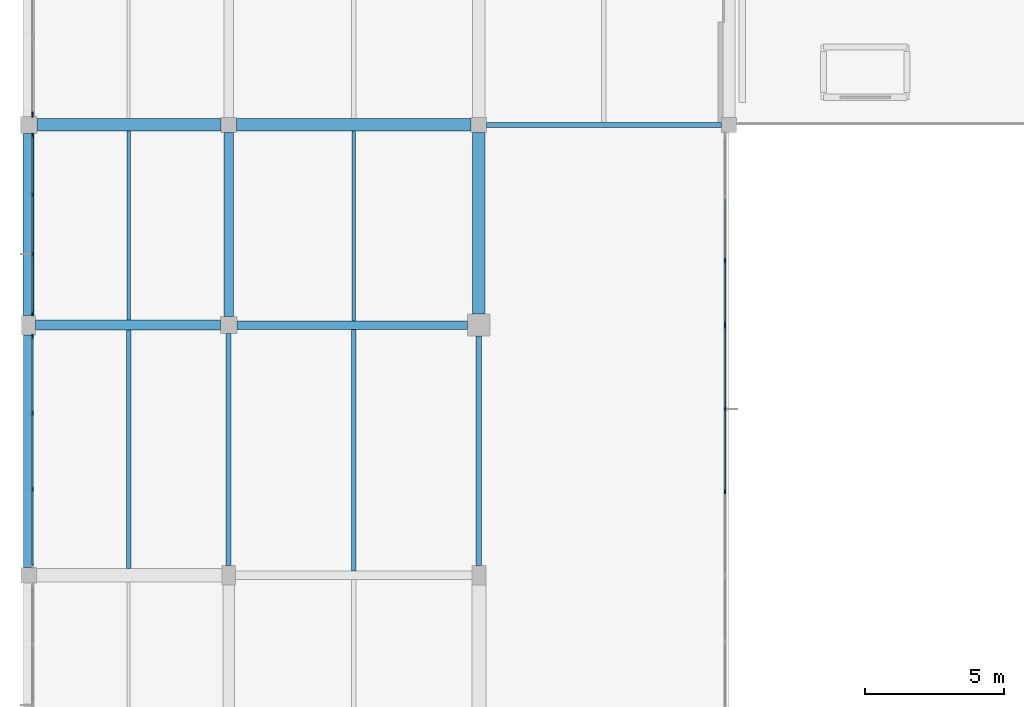
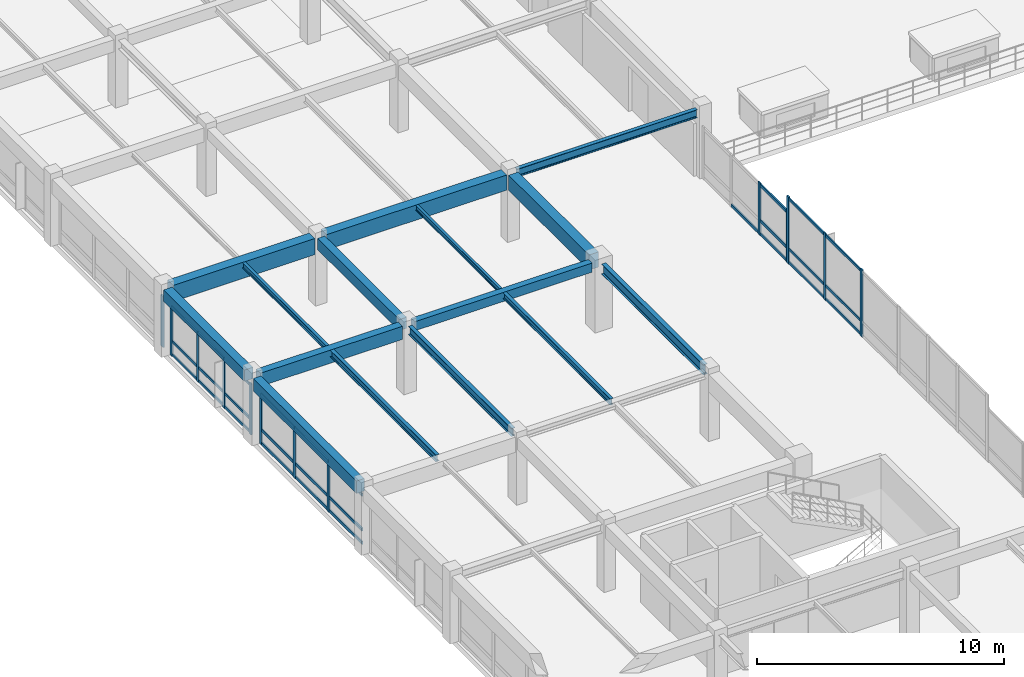
# One storey, part 10 of 74: 41 members, 15 beams, 5 elements without a shape of their own.
"""IFC4 building model written with IfcOpenShell, lengths in metres."""

from ifc_helpers import new_model, si_unit, direction, frame, origin, origin_2d, place, context, subcontext, project, spatial, rectangle, i_section, extrude, material, material_profile, profile_set, type_object, element, aggregate, save


model = new_model("IFC4")

# Units and contexts
model_context = context("Model", 3, precision=1e-05, world=origin(), true_north=direction((0.0, 1.0)))
body_context = subcontext(model_context, "Body", "Model", "MODEL_VIEW")
ifc_project = project(units=[si_unit("LENGTHUNIT", "METRE"), si_unit("AREAUNIT", "SQUARE_METRE"), si_unit("VOLUMEUNIT", "CUBIC_METRE"), si_unit("PLANEANGLEUNIT", "RADIAN"), si_unit("MASSUNIT", "GRAM", prefix="KILO")], contexts=[model_context])

# Site, building, storey
site_placement = place(None, origin())
site = spatial("IfcSite", under=ifc_project, at=site_placement, CompositionType="ELEMENT")
building_placement = place(site_placement, origin())
building = spatial("IfcBuilding", under=site, at=building_placement, Name="Clarverna Civic Hall", CompositionType="ELEMENT")
storey_placement = place(building_placement, frame((0.0, 0.0, 9.60009765625)))
storey = spatial("IfcBuildingStorey", under=building, at=storey_placement, Name="L02", CompositionType="ELEMENT", Elevation=9.60009765625)

# Beams
ifc_material_1 = material(Name="Concrete C35/45", Category="concrete")
ifc_material_profile_1 = material_profile(ifc_material_1, rectangle(XDim=0.35009765625, YDim=0.64990234375, at=origin_2d()), Name="RC 350x650")
ifc_profile_set_1 = profile_set([ifc_material_profile_1], Name="Concrete C35/45")
beam_type_1 = type_object("IfcBeamType", Name="B-RC17", PredefinedType="BEAM", material=ifc_profile_set_1)
beam_1_placement = place(storey_placement, frame((0.25, 39.199951171875, 2.994873046875), z_axis=(1.0, 0.0, 0.0), x_axis=(0.0, 1.0, 0.0)))
element("IfcBeam", 1, at=beam_1_placement, inside=storey, type_object=beam_type_1, Name="B-RC17-027", PredefinedType="BEAM", context=body_context, shape_type="SweptSolid", body=[
    extrude(rectangle(XDim=0.35009765625, YDim=0.64990234375, at=origin_2d()), origin(), (0.0, 0.0, 1.0), 6.64990234375),
])
ifc_material_profile_2 = material_profile(ifc_material_1, rectangle(XDim=0.300048828125, YDim=0.449951171875, at=origin_2d()), Name="RC 300x450")
ifc_profile_set_2 = profile_set([ifc_material_profile_2], Name="Concrete C35/45")
beam_type_2 = type_object("IfcBeamType", Name="B-RC18", PredefinedType="BEAM", material=ifc_profile_set_2)
beam_2_placement = place(storey_placement, frame((7.5, 39.199951171875, 3.094970703125), z_axis=(1.0, 0.0, 0.0), x_axis=(0.0, 1.0, 0.0)))
element("IfcBeam", 2, at=beam_2_placement, inside=storey, type_object=beam_type_2, Name="B-RC18-033", PredefinedType="BEAM", context=body_context, shape_type="SweptSolid", body=[
    extrude(rectangle(XDim=0.300048828125, YDim=0.449951171875, at=origin_2d()), origin(), (0.0, 0.0, 1.0), 8.300048828125),
])
ifc_material_profile_3 = material_profile(ifc_material_1, rectangle(XDim=0.449951171875, YDim=0.800048828125, at=origin_2d()), Name="RC 450x800")
ifc_profile_set_3 = profile_set([ifc_material_profile_3], Name="Concrete C35/45")
beam_type_3 = type_object("IfcBeamType", Name="B-RC2", PredefinedType="BEAM", material=ifc_profile_set_3)
beam_3_placement = place(storey_placement, frame((0.300048828125, 46.39990234375, 2.919921875), z_axis=(1.0, 0.0, 0.0), x_axis=(0.0, 1.0, 0.0)))
element("IfcBeam", 3, at=beam_3_placement, inside=storey, type_object=beam_type_3, Name="B-RC2-024", PredefinedType="BEAM", context=body_context, shape_type="SweptSolid", body=[
    extrude(rectangle(XDim=0.449951171875, YDim=0.800048828125, at=origin_2d()), origin(), (0.0, 0.0, 1.0), 6.625),
])
ifc_material_profile_4 = material_profile(ifc_material_1, rectangle(XDim=0.449951171875, YDim=0.75, at=origin_2d()), Name="RC 450x750")
ifc_profile_set_4 = profile_set([ifc_material_profile_4], Name="Concrete C35/45")
beam_type_4 = type_object("IfcBeamType", Name="B-RC3", PredefinedType="BEAM", material=ifc_profile_set_4)
beam_4_placement = place(storey_placement, frame((7.47509765625, 46.39990234375, 2.94482421875), z_axis=(1.0, 0.0, 0.0), x_axis=(0.0, 1.0, 0.0)))
element("IfcBeam", 4, at=beam_4_placement, inside=storey, type_object=beam_type_4, Name="B-RC3-028", PredefinedType="BEAM", context=body_context, shape_type="SweptSolid", body=[
    extrude(rectangle(XDim=0.449951171875, YDim=0.75, at=origin_2d()), origin(), (0.0, 0.0, 1.0), 8.449951171875),
])
beam_5_placement = place(storey_placement, frame((16.199951171875, 39.60009765625, 2.94482421875), z_axis=(0.0, 1.0, 0.0), x_axis=(-1.0, 0.0, 0.0)))
element("IfcBeam", 5, at=beam_5_placement, inside=storey, type_object=beam_type_4, Name="B-RC3-032", PredefinedType="BEAM", context=body_context, shape_type="SweptSolid", body=[
    extrude(rectangle(XDim=0.449951171875, YDim=0.75, at=origin_2d()), origin(), (0.0, 0.0, 1.0), 6.52490234375),
])
ifc_material_profile_5 = material_profile(ifc_material_1, rectangle(XDim=0.35009765625, YDim=0.550048828125, at=origin_2d()), Name="RC 350x550")
ifc_profile_set_5 = profile_set([ifc_material_profile_5], Name="Concrete C35/45")
beam_type_5 = type_object("IfcBeamType", Name="B-RC9", PredefinedType="BEAM", material=ifc_profile_set_5)
beam_6_placement = place(storey_placement, frame((7.199951171875, 39.5, 3.044921875), z_axis=(0.0, 1.0, 0.0), x_axis=(-1.0, 0.0, 0.0)))
element("IfcBeam", 6, at=beam_6_placement, inside=storey, type_object=beam_type_5, Name="B-RC9-037", PredefinedType="BEAM", context=body_context, shape_type="SweptSolid", body=[
    extrude(rectangle(XDim=0.35009765625, YDim=0.550048828125, at=origin_2d()), origin(), (0.0, 0.0, 1.0), 6.625),
])
ifc_material_profile_6 = material_profile(ifc_material_1, rectangle(XDim=0.360107421875, YDim=0.6201171875, at=origin_2d()), Name="RC 360x620")
ifc_profile_set_6 = profile_set([ifc_material_profile_6], Name="Concrete C35/45")
beam_type_6 = type_object("IfcBeamType", Name="B-SP3", PredefinedType="SPANDREL", material=ifc_profile_set_6)
beam_7_placement = place(storey_placement, frame((0.0, 30.47509765625, 3.010009765625), z_axis=(0.0, 1.0, 0.0), x_axis=(-1.0, 0.0, 0.0)))
element("IfcBeam", 7, at=beam_7_placement, inside=storey, type_object=beam_type_6, Name="B-SP3-096", PredefinedType="SPANDREL", context=body_context, shape_type="SweptSolid", body=[
    extrude(rectangle(XDim=0.360107421875, YDim=0.6201171875, at=origin_2d()), origin(), (0.0, 0.0, 1.0), 8.375),
])
ifc_material_profile_7 = material_profile(ifc_material_1, rectangle(XDim=0.39990234375, YDim=0.56005859375, at=origin_2d()), Name="RC 400x560")
ifc_profile_set_7 = profile_set([ifc_material_profile_7], Name="Concrete C35/45")
beam_type_7 = type_object("IfcBeamType", Name="B-SP4", PredefinedType="SPANDREL", material=ifc_profile_set_7)
beam_8_placement = place(storey_placement, frame((0.0, 39.550048828125, 3.039794921875), z_axis=(0.0, 1.0, 0.0), x_axis=(-1.0, 0.0, 0.0)))
element("IfcBeam", 8, at=beam_8_placement, inside=storey, type_object=beam_type_7, Name="B-SP4-095", PredefinedType="SPANDREL", context=body_context, shape_type="SweptSolid", body=[
    extrude(rectangle(XDim=0.39990234375, YDim=0.56005859375, at=origin_2d()), origin(), (0.0, 0.0, 1.0), 6.550048828125),
])
ifc_material_2 = material(Name="Steel S355", Category="steel")
ifc_material_profile_8 = material_profile(ifc_material_2, i_section(OverallWidth=0.199951171875, OverallDepth=0.5, WebThickness=0.01025390625, FlangeThickness=0.01611328125, FilletRadius=0.02099609375, at=origin_2d()), Name="IPE 500")
ifc_profile_set_8 = profile_set([ifc_material_profile_8], Name="Steel S355")
beam_type_8 = type_object("IfcBeamType", Name="B-ST12", PredefinedType="BEAM", material=ifc_profile_set_8)
beam_9_placement = place(storey_placement, frame((16.199951171875, 30.550048828125, 3.06982421875), z_axis=(0.0, 1.0, 0.0), x_axis=(-1.0, 0.0, 0.0)))
element("IfcBeam", 9, at=beam_9_placement, inside=storey, type_object=beam_type_8, Name="B-ST12-011", PredefinedType="BEAM", context=body_context, shape_type="SweptSolid", body=[
    extrude(i_section(OverallWidth=0.199951171875, OverallDepth=0.5, WebThickness=0.01025390625, FlangeThickness=0.01611328125, FilletRadius=0.02099609375, at=origin_2d()), origin(), (0.0, 0.0, 1.0), 8.25),
])
ifc_material_profile_9 = material_profile(ifc_material_2, i_section(OverallWidth=0.179931640625, OverallDepth=0.39990234375, WebThickness=0.008544921875, FlangeThickness=0.013427734375, FilletRadius=0.02099609375, at=origin_2d()), Name="IPE 400")
ifc_profile_set_9 = profile_set([ifc_material_profile_9], Name="Steel S355")
beam_type_9 = type_object("IfcBeamType", Name="B-ST14", PredefinedType="BEAM", material=ifc_profile_set_9)
beam_10_placement = place(storey_placement, frame((16.47509765625, 46.39990234375, 3.119873046875), z_axis=(1.0, 0.0, 0.0), x_axis=(0.0, 1.0, 0.0)))
element("IfcBeam", 10, at=beam_10_placement, inside=storey, type_object=beam_type_9, Name="B-ST14-009", PredefinedType="BEAM", context=body_context, shape_type="SweptSolid", body=[
    extrude(i_section(OverallWidth=0.179931640625, OverallDepth=0.39990234375, WebThickness=0.008544921875, FlangeThickness=0.013427734375, FilletRadius=0.02099609375, at=origin_2d()), origin(), (0.0, 0.0, 1.0), 8.449951171875),
])
beam_11_placement = place(storey_placement, frame((7.199951171875, 30.550048828125, 3.119873046875), z_axis=(0.0, 1.0, 0.0), x_axis=(-1.0, 0.0, 0.0)))
element("IfcBeam", 11, at=beam_11_placement, inside=storey, type_object=beam_type_9, Name="B-ST14-011", PredefinedType="BEAM", context=body_context, shape_type="SweptSolid", body=[
    extrude(i_section(OverallWidth=0.179931640625, OverallDepth=0.39990234375, WebThickness=0.008544921875, FlangeThickness=0.013427734375, FilletRadius=0.02099609375, at=origin_2d()), origin(), (0.0, 0.0, 1.0), 8.349853515625),
])

# Curtain wall, members
ifc_material_3 = material(Name="Anodised Bronze Architectural Aluminium", Category="aluminium")
curtain_wall_type = type_object("IfcCurtainWallType", Name="CW-01", PredefinedType="USERDEFINED", material=ifc_material_3)
curtain_wall_1_placement = place(storey_placement, origin())
curtain_wall_1 = element("IfcCurtainWall", 12, at=curtain_wall_1_placement, inside=storey, type_object=curtain_wall_type, Name="CW-01-019", ObjectType="UNITISED CURTAIN WALL", PredefinedType="USERDEFINED")
ifc_material_profile_10 = material_profile(ifc_material_3, rectangle(XDim=0.06005859375, YDim=0.179931640625, at=origin_2d()), Name="BRONZE 60x180")
ifc_profile_set_10 = profile_set([ifc_material_profile_10], Name="Anodised Bronze Architectural Aluminium")
member_type_1 = type_object("IfcMemberType", Name="CWM-01", PredefinedType="MULLION", material=ifc_profile_set_10)
member_1_placement = place(storey_placement, frame((0.139892578125, 33.291015625, 0.0), z_axis=(0.0, 0.0, 1.0), x_axis=(1.0, 0.0, 0.0)))
member_1 = element("IfcMember", 13, at=member_1_placement, type_object=member_type_1, Name="CWM-01-071", PredefinedType="MULLION", context=body_context, shape_type="SweptSolid", body=[
    extrude(rectangle(XDim=0.06005859375, YDim=0.179931640625, at=origin_2d()), origin(), (0.0, 0.0, 1.0), 2.56982421875),
])
member_2_placement = place(storey_placement, frame((0.139892578125, 36.033935546875, 0.0), z_axis=(0.0, 0.0, 1.0), x_axis=(1.0, 0.0, 0.0)))
member_2 = element("IfcMember", 14, at=member_2_placement, type_object=member_type_1, Name="CWM-01-072", PredefinedType="MULLION", context=body_context, shape_type="SweptSolid", body=[
    extrude(rectangle(XDim=0.06005859375, YDim=0.179931640625, at=origin_2d()), origin(), (0.0, 0.0, 1.0), 2.56982421875),
])
member_3_placement = place(storey_placement, frame((0.139892578125, 38.777099609375, 0.0), z_axis=(0.0, 0.0, 1.0), x_axis=(1.0, 0.0, 0.0)))
member_3 = element("IfcMember", 15, at=member_3_placement, type_object=member_type_1, Name="CWM-01-073", PredefinedType="MULLION", context=body_context, shape_type="SweptSolid", body=[
    extrude(rectangle(XDim=0.06005859375, YDim=0.179931640625, at=origin_2d()), origin(), (0.0, 0.0, 1.0), 2.56982421875),
])

curtain_wall_2_placement = place(storey_placement, origin())
curtain_wall_2 = element("IfcCurtainWall", 16, at=curtain_wall_2_placement, inside=storey, type_object=curtain_wall_type, Name="CW-01-054", ObjectType="UNITISED CURTAIN WALL", PredefinedType="USERDEFINED")
member_4_placement = place(storey_placement, frame((25.06005859375, 41.506103515625, 0.0), z_axis=(0.0, 0.0, 1.0), x_axis=(1.0, 0.0, 0.0)))
member_4 = element("IfcMember", 17, at=member_4_placement, type_object=member_type_1, Name="CWM-01-107", PredefinedType="MULLION", context=body_context, shape_type="SweptSolid", body=[
    extrude(rectangle(XDim=0.06005859375, YDim=0.179931640625, at=origin_2d()), origin(), (0.0, 0.0, 1.0), 2.599853515625),
])
member_5_placement = place(storey_placement, frame((25.06005859375, 39.23291015625, 0.0), z_axis=(0.0, 0.0, 1.0), x_axis=(1.0, 0.0, 0.0)))
member_5 = element("IfcMember", 18, at=member_5_placement, type_object=member_type_1, Name="CWM-01-108", PredefinedType="MULLION", context=body_context, shape_type="SweptSolid", body=[
    extrude(rectangle(XDim=0.06005859375, YDim=0.179931640625, at=origin_2d()), origin(), (0.0, 0.0, 1.0), 2.599853515625),
])

curtain_wall_3_placement = place(storey_placement, origin())
curtain_wall_3 = element("IfcCurtainWall", 19, at=curtain_wall_3_placement, inside=storey, type_object=curtain_wall_type, Name="CW-01-020", ObjectType="UNITISED CURTAIN WALL", PredefinedType="USERDEFINED")
ifc_material_profile_11 = material_profile(ifc_material_3, rectangle(XDim=0.06005859375, YDim=0.159912109375, at=origin_2d()), Name="BRONZE 60x160")
ifc_profile_set_11 = profile_set([ifc_material_profile_11], Name="Anodised Bronze Architectural Aluminium")
member_type_2 = type_object("IfcMemberType", Name="CWM-02", PredefinedType="MULLION", material=ifc_profile_set_11)
member_6_placement = place(storey_placement, frame((0.139892578125, 39.623046875, 0.0), z_axis=(0.0, 0.0, 1.0), x_axis=(1.0, 0.0, 0.0)))
member_6 = element("IfcMember", 20, at=member_6_placement, type_object=member_type_2, Name="CWM-02-083", PredefinedType="MULLION", context=body_context, shape_type="SweptSolid", body=[
    extrude(rectangle(XDim=0.06005859375, YDim=0.159912109375, at=origin_2d()), origin(), (0.0, 0.0, 1.0), 2.52001953125),
])
member_7_placement = place(storey_placement, frame((0.139892578125, 41.7578125, 0.0), z_axis=(0.0, 0.0, 1.0), x_axis=(1.0, 0.0, 0.0)))
member_7 = element("IfcMember", 21, at=member_7_placement, type_object=member_type_2, Name="CWM-02-084", PredefinedType="MULLION", context=body_context, shape_type="SweptSolid", body=[
    extrude(rectangle(XDim=0.06005859375, YDim=0.159912109375, at=origin_2d()), origin(), (0.0, 0.0, 1.0), 2.52001953125),
])
member_8_placement = place(storey_placement, frame((0.139892578125, 43.892333984375, 0.0), z_axis=(0.0, 0.0, 1.0), x_axis=(1.0, 0.0, 0.0)))
member_8 = element("IfcMember", 22, at=member_8_placement, type_object=member_type_2, Name="CWM-02-085", PredefinedType="MULLION", context=body_context, shape_type="SweptSolid", body=[
    extrude(rectangle(XDim=0.06005859375, YDim=0.159912109375, at=origin_2d()), origin(), (0.0, 0.0, 1.0), 2.52001953125),
])
member_9_placement = place(storey_placement, frame((0.139892578125, 46.027099609375, 0.0), z_axis=(0.0, 0.0, 1.0), x_axis=(1.0, 0.0, 0.0)))
member_9 = element("IfcMember", 23, at=member_9_placement, type_object=member_type_2, Name="CWM-02-086", PredefinedType="MULLION", context=body_context, shape_type="SweptSolid", body=[
    extrude(rectangle(XDim=0.06005859375, YDim=0.159912109375, at=origin_2d()), origin(), (0.0, 0.0, 1.0), 2.52001953125),
])

curtain_wall_4_placement = place(storey_placement, origin())
curtain_wall_4 = element("IfcCurtainWall", 24, at=curtain_wall_4_placement, inside=storey, type_object=curtain_wall_type, Name="CW-01-055", ObjectType="UNITISED CURTAIN WALL", PredefinedType="USERDEFINED")
member_10_placement = place(storey_placement, frame((25.06005859375, 39.1669921875, 0.0), z_axis=(0.0, 0.0, 1.0), x_axis=(1.0, 0.0, 0.0)))
member_10 = element("IfcMember", 25, at=member_10_placement, type_object=member_type_2, Name="CWM-02-133", PredefinedType="MULLION", context=body_context, shape_type="SweptSolid", body=[
    extrude(rectangle(XDim=0.06005859375, YDim=0.159912109375, at=origin_2d()), origin(), (0.0, 0.0, 1.0), 3.31982421875),
])
member_11_placement = place(storey_placement, frame((25.06005859375, 36.18896484375, 0.0), z_axis=(0.0, 0.0, 1.0), x_axis=(1.0, 0.0, 0.0)))
member_11 = element("IfcMember", 26, at=member_11_placement, type_object=member_type_2, Name="CWM-02-134", PredefinedType="MULLION", context=body_context, shape_type="SweptSolid", body=[
    extrude(rectangle(XDim=0.06005859375, YDim=0.159912109375, at=origin_2d()), origin(), (0.0, 0.0, 1.0), 3.31982421875),
])
member_12_placement = place(storey_placement, frame((25.06005859375, 33.2109375, 0.0), z_axis=(0.0, 0.0, 1.0), x_axis=(1.0, 0.0, 0.0)))
member_12 = element("IfcMember", 27, at=member_12_placement, type_object=member_type_2, Name="CWM-02-135", PredefinedType="MULLION", context=body_context, shape_type="SweptSolid", body=[
    extrude(rectangle(XDim=0.06005859375, YDim=0.159912109375, at=origin_2d()), origin(), (0.0, 0.0, 1.0), 3.31982421875),
])

# Curtain wall, member
curtain_wall_5_placement = place(storey_placement, origin())
curtain_wall_5 = element("IfcCurtainWall", 28, at=curtain_wall_5_placement, inside=storey, type_object=curtain_wall_type, Name="CW-01-021", ObjectType="UNITISED CURTAIN WALL", PredefinedType="USERDEFINED")
ifc_material_profile_12 = material_profile(ifc_material_3, rectangle(XDim=0.06494140625, YDim=0.199951171875, at=origin_2d()), Name="BRONZE 65x200")
ifc_profile_set_12 = profile_set([ifc_material_profile_12], Name="Anodised Bronze Architectural Aluminium")
member_type_3 = type_object("IfcMemberType", Name="CWM-03", PredefinedType="MULLION", material=ifc_profile_set_12)
member_13_placement = place(storey_placement, frame((0.139892578125, 46.77294921875, 0.0), z_axis=(0.0, 0.0, 1.0), x_axis=(1.0, 0.0, 0.0)))
member_13 = element("IfcMember", 29, at=member_13_placement, type_object=member_type_3, Name="CWM-03-071", PredefinedType="MULLION", context=body_context, shape_type="SweptSolid", body=[
    extrude(rectangle(XDim=0.06494140625, YDim=0.199951171875, at=origin_2d()), origin(), (0.0, 0.0, 1.0), 2.52001953125),
])
aggregate(curtain_wall_5, [member_13])

# Member
ifc_material_profile_13 = material_profile(ifc_material_3, rectangle(XDim=0.06005859375, YDim=0.14990234375, at=origin_2d()), Name="BRONZE 60x150")
ifc_profile_set_13 = profile_set([ifc_material_profile_13], Name="Anodised Bronze Architectural Aluminium")
member_type_4 = type_object("IfcMemberType", Name="CWT-01", PredefinedType="USERDEFINED", material=ifc_profile_set_13)
member_14_placement = place(storey_placement, frame((0.139892578125, 30.56298828125, 0.094970703125), z_axis=(0.0, 1.0, 0.0), x_axis=(-1.0, 0.0, 0.0)))
member_14 = element("IfcMember", 30, at=member_14_placement, type_object=member_type_4, Name="CWT-01-145", ObjectType="TRANSOM", PredefinedType="USERDEFINED", context=body_context, shape_type="SweptSolid", body=[
    extrude(rectangle(XDim=0.06005859375, YDim=0.14990234375, at=origin_2d()), origin(), (0.0, 0.0, 1.0), 2.712890625),
])

member_15_placement = place(storey_placement, frame((0.139892578125, 30.56298828125, 0.75), z_axis=(0.0, 1.0, 0.0), x_axis=(-1.0, 0.0, 0.0)))
member_15 = element("IfcMember", 31, at=member_15_placement, type_object=member_type_4, Name="CWT-01-146", ObjectType="TRANSOM", PredefinedType="USERDEFINED", context=body_context, shape_type="SweptSolid", body=[
    extrude(rectangle(XDim=0.06005859375, YDim=0.14990234375, at=origin_2d()), origin(), (0.0, 0.0, 1.0), 2.712890625),
])

member_16_placement = place(storey_placement, frame((0.139892578125, 30.56298828125, 2.474853515625), z_axis=(0.0, 1.0, 0.0), x_axis=(-1.0, 0.0, 0.0)))
member_16 = element("IfcMember", 32, at=member_16_placement, type_object=member_type_4, Name="CWT-01-147", ObjectType="TRANSOM", PredefinedType="USERDEFINED", context=body_context, shape_type="SweptSolid", body=[
    extrude(rectangle(XDim=0.06005859375, YDim=0.14990234375, at=origin_2d()), origin(), (0.0, 0.0, 1.0), 2.712890625),
])

member_17_placement = place(storey_placement, frame((0.139892578125, 33.305908203125, 0.094970703125), z_axis=(0.0, 1.0, 0.0), x_axis=(-1.0, 0.0, 0.0)))
member_17 = element("IfcMember", 33, at=member_17_placement, type_object=member_type_4, Name="CWT-01-148", ObjectType="TRANSOM", PredefinedType="USERDEFINED", context=body_context, shape_type="SweptSolid", body=[
    extrude(rectangle(XDim=0.06005859375, YDim=0.14990234375, at=origin_2d()), origin(), (0.0, 0.0, 1.0), 2.713134765625),
])

member_18_placement = place(storey_placement, frame((0.139892578125, 33.305908203125, 0.75), z_axis=(0.0, 1.0, 0.0), x_axis=(-1.0, 0.0, 0.0)))
member_18 = element("IfcMember", 34, at=member_18_placement, type_object=member_type_4, Name="CWT-01-149", ObjectType="TRANSOM", PredefinedType="USERDEFINED", context=body_context, shape_type="SweptSolid", body=[
    extrude(rectangle(XDim=0.06005859375, YDim=0.14990234375, at=origin_2d()), origin(), (0.0, 0.0, 1.0), 2.713134765625),
])

member_19_placement = place(storey_placement, frame((0.139892578125, 33.305908203125, 2.474853515625), z_axis=(0.0, 1.0, 0.0), x_axis=(-1.0, 0.0, 0.0)))
member_19 = element("IfcMember", 35, at=member_19_placement, type_object=member_type_4, Name="CWT-01-150", ObjectType="TRANSOM", PredefinedType="USERDEFINED", context=body_context, shape_type="SweptSolid", body=[
    extrude(rectangle(XDim=0.06005859375, YDim=0.14990234375, at=origin_2d()), origin(), (0.0, 0.0, 1.0), 2.713134765625),
])

member_20_placement = place(storey_placement, frame((0.139892578125, 36.049072265625, 0.094970703125), z_axis=(0.0, 1.0, 0.0), x_axis=(-1.0, 0.0, 0.0)))
member_20 = element("IfcMember", 36, at=member_20_placement, type_object=member_type_4, Name="CWT-01-151", ObjectType="TRANSOM", PredefinedType="USERDEFINED", context=body_context, shape_type="SweptSolid", body=[
    extrude(rectangle(XDim=0.06005859375, YDim=0.14990234375, at=origin_2d()), origin(), (0.0, 0.0, 1.0), 2.712890625),
])

member_21_placement = place(storey_placement, frame((0.139892578125, 36.049072265625, 0.75), z_axis=(0.0, 1.0, 0.0), x_axis=(-1.0, 0.0, 0.0)))
member_21 = element("IfcMember", 37, at=member_21_placement, type_object=member_type_4, Name="CWT-01-152", ObjectType="TRANSOM", PredefinedType="USERDEFINED", context=body_context, shape_type="SweptSolid", body=[
    extrude(rectangle(XDim=0.06005859375, YDim=0.14990234375, at=origin_2d()), origin(), (0.0, 0.0, 1.0), 2.712890625),
])

member_22_placement = place(storey_placement, frame((0.139892578125, 36.049072265625, 2.474853515625), z_axis=(0.0, 1.0, 0.0), x_axis=(-1.0, 0.0, 0.0)))
member_22 = element("IfcMember", 38, at=member_22_placement, type_object=member_type_4, Name="CWT-01-153", ObjectType="TRANSOM", PredefinedType="USERDEFINED", context=body_context, shape_type="SweptSolid", body=[
    extrude(rectangle(XDim=0.06005859375, YDim=0.14990234375, at=origin_2d()), origin(), (0.0, 0.0, 1.0), 2.712890625),
])

aggregate(curtain_wall_1, [member_1, member_2, member_3, member_14, member_15, member_16, member_17, member_18, member_19, member_20, member_21, member_22])

member_23_placement = place(storey_placement, frame((25.06005859375, 43.763916015625, 0.094970703125), z_axis=(0.0, -1.0, 0.0), x_axis=(1.0, 0.0, 0.0)))
member_23 = element("IfcMember", 39, at=member_23_placement, type_object=member_type_4, Name="CWT-01-223", ObjectType="TRANSOM", PredefinedType="USERDEFINED", context=body_context, shape_type="SweptSolid", body=[
    extrude(rectangle(XDim=0.06005859375, YDim=0.14990234375, at=origin_2d()), origin(), (0.0, 0.0, 1.0), 2.242919921875),
])

member_24_placement = place(storey_placement, frame((25.06005859375, 41.490966796875, 0.094970703125), z_axis=(0.0, -1.0, 0.0), x_axis=(1.0, 0.0, 0.0)))
member_24 = element("IfcMember", 40, at=member_24_placement, type_object=member_type_4, Name="CWT-01-226", ObjectType="TRANSOM", PredefinedType="USERDEFINED", context=body_context, shape_type="SweptSolid", body=[
    extrude(rectangle(XDim=0.06005859375, YDim=0.14990234375, at=origin_2d()), origin(), (0.0, 0.0, 1.0), 2.242919921875),
])

member_25_placement = place(storey_placement, frame((25.06005859375, 41.490966796875, 0.75), z_axis=(0.0, -1.0, 0.0), x_axis=(1.0, 0.0, 0.0)))
member_25 = element("IfcMember", 41, at=member_25_placement, type_object=member_type_4, Name="CWT-01-227", ObjectType="TRANSOM", PredefinedType="USERDEFINED", context=body_context, shape_type="SweptSolid", body=[
    extrude(rectangle(XDim=0.06005859375, YDim=0.14990234375, at=origin_2d()), origin(), (0.0, 0.0, 1.0), 2.242919921875),
])

member_26_placement = place(storey_placement, frame((25.06005859375, 41.490966796875, 2.5048828125), z_axis=(0.0, -1.0, 0.0), x_axis=(1.0, 0.0, 0.0)))
member_26 = element("IfcMember", 42, at=member_26_placement, type_object=member_type_4, Name="CWT-01-228", ObjectType="TRANSOM", PredefinedType="USERDEFINED", context=body_context, shape_type="SweptSolid", body=[
    extrude(rectangle(XDim=0.06005859375, YDim=0.14990234375, at=origin_2d()), origin(), (0.0, 0.0, 1.0), 2.242919921875),
])

aggregate(curtain_wall_2, [member_4, member_5, member_23, member_24, member_25, member_26])

ifc_material_profile_14 = material_profile(ifc_material_3, rectangle(XDim=0.06005859375, YDim=0.1298828125, at=origin_2d()), Name="BRONZE 60x130")
ifc_profile_set_14 = profile_set([ifc_material_profile_14], Name="Anodised Bronze Architectural Aluminium")
member_type_5 = type_object("IfcMemberType", Name="CWT-02", PredefinedType="USERDEFINED", material=ifc_profile_set_14)
member_27_placement = place(storey_placement, frame((0.139892578125, 39.637939453125, 0.094970703125), z_axis=(0.0, 1.0, 0.0), x_axis=(-1.0, 0.0, 0.0)))
member_27 = element("IfcMember", 43, at=member_27_placement, type_object=member_type_5, Name="CWT-02-172", ObjectType="TRANSOM", PredefinedType="USERDEFINED", context=body_context, shape_type="SweptSolid", body=[
    extrude(rectangle(XDim=0.06005859375, YDim=0.1298828125, at=origin_2d()), origin(), (0.0, 0.0, 1.0), 2.104736328125),
])

member_28_placement = place(storey_placement, frame((0.139892578125, 39.637939453125, 0.75), z_axis=(0.0, 1.0, 0.0), x_axis=(-1.0, 0.0, 0.0)))
member_28 = element("IfcMember", 44, at=member_28_placement, type_object=member_type_5, Name="CWT-02-173", ObjectType="TRANSOM", PredefinedType="USERDEFINED", context=body_context, shape_type="SweptSolid", body=[
    extrude(rectangle(XDim=0.06005859375, YDim=0.1298828125, at=origin_2d()), origin(), (0.0, 0.0, 1.0), 2.104736328125),
])

member_29_placement = place(storey_placement, frame((0.139892578125, 39.637939453125, 2.4248046875), z_axis=(0.0, 1.0, 0.0), x_axis=(-1.0, 0.0, 0.0)))
member_29 = element("IfcMember", 45, at=member_29_placement, type_object=member_type_5, Name="CWT-02-174", ObjectType="TRANSOM", PredefinedType="USERDEFINED", context=body_context, shape_type="SweptSolid", body=[
    extrude(rectangle(XDim=0.06005859375, YDim=0.1298828125, at=origin_2d()), origin(), (0.0, 0.0, 1.0), 2.104736328125),
])

member_30_placement = place(storey_placement, frame((0.139892578125, 41.772705078125, 0.094970703125), z_axis=(0.0, 1.0, 0.0), x_axis=(-1.0, 0.0, 0.0)))
member_30 = element("IfcMember", 46, at=member_30_placement, type_object=member_type_5, Name="CWT-02-175", ObjectType="TRANSOM", PredefinedType="USERDEFINED", context=body_context, shape_type="SweptSolid", body=[
    extrude(rectangle(XDim=0.06005859375, YDim=0.1298828125, at=origin_2d()), origin(), (0.0, 0.0, 1.0), 2.1044921875),
])

member_31_placement = place(storey_placement, frame((0.139892578125, 41.772705078125, 0.75), z_axis=(0.0, 1.0, 0.0), x_axis=(-1.0, 0.0, 0.0)))
member_31 = element("IfcMember", 47, at=member_31_placement, type_object=member_type_5, Name="CWT-02-176", ObjectType="TRANSOM", PredefinedType="USERDEFINED", context=body_context, shape_type="SweptSolid", body=[
    extrude(rectangle(XDim=0.06005859375, YDim=0.1298828125, at=origin_2d()), origin(), (0.0, 0.0, 1.0), 2.1044921875),
])

member_32_placement = place(storey_placement, frame((0.139892578125, 41.772705078125, 2.4248046875), z_axis=(0.0, 1.0, 0.0), x_axis=(-1.0, 0.0, 0.0)))
member_32 = element("IfcMember", 48, at=member_32_placement, type_object=member_type_5, Name="CWT-02-177", ObjectType="TRANSOM", PredefinedType="USERDEFINED", context=body_context, shape_type="SweptSolid", body=[
    extrude(rectangle(XDim=0.06005859375, YDim=0.1298828125, at=origin_2d()), origin(), (0.0, 0.0, 1.0), 2.1044921875),
])

member_33_placement = place(storey_placement, frame((0.139892578125, 43.9072265625, 0.094970703125), z_axis=(0.0, 1.0, 0.0), x_axis=(-1.0, 0.0, 0.0)))
member_33 = element("IfcMember", 49, at=member_33_placement, type_object=member_type_5, Name="CWT-02-178", ObjectType="TRANSOM", PredefinedType="USERDEFINED", context=body_context, shape_type="SweptSolid", body=[
    extrude(rectangle(XDim=0.06005859375, YDim=0.1298828125, at=origin_2d()), origin(), (0.0, 0.0, 1.0), 2.104736328125),
])

member_34_placement = place(storey_placement, frame((0.139892578125, 43.9072265625, 0.75), z_axis=(0.0, 1.0, 0.0), x_axis=(-1.0, 0.0, 0.0)))
member_34 = element("IfcMember", 50, at=member_34_placement, type_object=member_type_5, Name="CWT-02-179", ObjectType="TRANSOM", PredefinedType="USERDEFINED", context=body_context, shape_type="SweptSolid", body=[
    extrude(rectangle(XDim=0.06005859375, YDim=0.1298828125, at=origin_2d()), origin(), (0.0, 0.0, 1.0), 2.104736328125),
])

member_35_placement = place(storey_placement, frame((0.139892578125, 43.9072265625, 2.4248046875), z_axis=(0.0, 1.0, 0.0), x_axis=(-1.0, 0.0, 0.0)))
member_35 = element("IfcMember", 51, at=member_35_placement, type_object=member_type_5, Name="CWT-02-180", ObjectType="TRANSOM", PredefinedType="USERDEFINED", context=body_context, shape_type="SweptSolid", body=[
    extrude(rectangle(XDim=0.06005859375, YDim=0.1298828125, at=origin_2d()), origin(), (0.0, 0.0, 1.0), 2.104736328125),
])

aggregate(curtain_wall_3, [member_6, member_7, member_8, member_9, member_27, member_28, member_29, member_30, member_31, member_32, member_33, member_34, member_35])

member_36_placement = place(storey_placement, frame((25.06005859375, 39.152099609375, 0.094970703125), z_axis=(0.0, -1.0, 0.0), x_axis=(1.0, 0.0, 0.0)))
member_36 = element("IfcMember", 52, at=member_36_placement, type_object=member_type_5, Name="CWT-02-277", ObjectType="TRANSOM", PredefinedType="USERDEFINED", context=body_context, shape_type="SweptSolid", body=[
    extrude(rectangle(XDim=0.06005859375, YDim=0.1298828125, at=origin_2d()), origin(), (0.0, 0.0, 1.0), 2.947998046875),
])

member_37_placement = place(storey_placement, frame((25.06005859375, 39.152099609375, 0.75), z_axis=(0.0, -1.0, 0.0), x_axis=(1.0, 0.0, 0.0)))
member_37 = element("IfcMember", 53, at=member_37_placement, type_object=member_type_5, Name="CWT-02-278", ObjectType="TRANSOM", PredefinedType="USERDEFINED", context=body_context, shape_type="SweptSolid", body=[
    extrude(rectangle(XDim=0.06005859375, YDim=0.1298828125, at=origin_2d()), origin(), (0.0, 0.0, 1.0), 2.947998046875),
])

member_38_placement = place(storey_placement, frame((25.06005859375, 39.152099609375, 3.224853515625), z_axis=(0.0, -1.0, 0.0), x_axis=(1.0, 0.0, 0.0)))
member_38 = element("IfcMember", 54, at=member_38_placement, type_object=member_type_5, Name="CWT-02-279", ObjectType="TRANSOM", PredefinedType="USERDEFINED", context=body_context, shape_type="SweptSolid", body=[
    extrude(rectangle(XDim=0.06005859375, YDim=0.1298828125, at=origin_2d()), origin(), (0.0, 0.0, 1.0), 2.947998046875),
])

member_39_placement = place(storey_placement, frame((25.06005859375, 36.174072265625, 0.094970703125), z_axis=(0.0, -1.0, 0.0), x_axis=(1.0, 0.0, 0.0)))
member_39 = element("IfcMember", 55, at=member_39_placement, type_object=member_type_5, Name="CWT-02-280", ObjectType="TRANSOM", PredefinedType="USERDEFINED", context=body_context, shape_type="SweptSolid", body=[
    extrude(rectangle(XDim=0.06005859375, YDim=0.1298828125, at=origin_2d()), origin(), (0.0, 0.0, 1.0), 2.947998046875),
])

member_40_placement = place(storey_placement, frame((25.06005859375, 36.174072265625, 0.75), z_axis=(0.0, -1.0, 0.0), x_axis=(1.0, 0.0, 0.0)))
member_40 = element("IfcMember", 56, at=member_40_placement, type_object=member_type_5, Name="CWT-02-281", ObjectType="TRANSOM", PredefinedType="USERDEFINED", context=body_context, shape_type="SweptSolid", body=[
    extrude(rectangle(XDim=0.06005859375, YDim=0.1298828125, at=origin_2d()), origin(), (0.0, 0.0, 1.0), 2.947998046875),
])

member_41_placement = place(storey_placement, frame((25.06005859375, 36.174072265625, 3.224853515625), z_axis=(0.0, -1.0, 0.0), x_axis=(1.0, 0.0, 0.0)))
member_41 = element("IfcMember", 57, at=member_41_placement, type_object=member_type_5, Name="CWT-02-282", ObjectType="TRANSOM", PredefinedType="USERDEFINED", context=body_context, shape_type="SweptSolid", body=[
    extrude(rectangle(XDim=0.06005859375, YDim=0.1298828125, at=origin_2d()), origin(), (0.0, 0.0, 1.0), 2.947998046875),
])

aggregate(curtain_wall_4, [member_10, member_11, member_12, member_36, member_37, member_38, member_39, member_40, member_41])

# Beams
ifc_material_profile_15 = material_profile(ifc_material_2, i_section(OverallWidth=0.159912109375, OverallDepth=0.330078125, WebThickness=0.007568359375, FlangeThickness=0.011474609375, FilletRadius=0.01806640625, at=origin_2d()), Name="IPE 330")
ifc_profile_set_15 = profile_set([ifc_material_profile_15], Name="Steel S355")
beam_type_10 = type_object("IfcBeamType", Name="J-ST2", PredefinedType="JOIST", material=ifc_profile_set_15)
beam_12_placement = place(storey_placement, frame((3.60009765625, 30.449951171875, 3.15478515625), z_axis=(0.0, 1.0, 0.0), x_axis=(-1.0, 0.0, 0.0)))
element("IfcBeam", 58, at=beam_12_placement, inside=storey, type_object=beam_type_10, Name="J-ST2-050", PredefinedType="JOIST", context=body_context, shape_type="SweptSolid", body=[
    extrude(i_section(OverallWidth=0.159912109375, OverallDepth=0.330078125, WebThickness=0.007568359375, FlangeThickness=0.011474609375, FilletRadius=0.01806640625, at=origin_2d()), origin(), (0.0, 0.0, 1.0), 8.574951171875),
])
ifc_material_profile_16 = material_profile(ifc_material_2, i_section(OverallWidth=0.14990234375, OverallDepth=0.300048828125, WebThickness=0.007080078125, FlangeThickness=0.0107421875, FilletRadius=0.014892578125, at=origin_2d()), Name="IPE 300")
ifc_profile_set_16 = profile_set([ifc_material_profile_16], Name="Steel S355")
beam_type_11 = type_object("IfcBeamType", Name="J-ST3", PredefinedType="JOIST", material=ifc_profile_set_16)
beam_13_placement = place(storey_placement, frame((11.699951171875, 30.35009765625, 3.169921875), z_axis=(0.0, 1.0, 0.0), x_axis=(-1.0, 0.0, 0.0)))
element("IfcBeam", 59, at=beam_13_placement, inside=storey, type_object=beam_type_11, Name="J-ST3-050", PredefinedType="JOIST", context=body_context, shape_type="SweptSolid", body=[
    extrude(i_section(OverallWidth=0.14990234375, OverallDepth=0.300048828125, WebThickness=0.007080078125, FlangeThickness=0.0107421875, FilletRadius=0.014892578125, at=origin_2d()), origin(), (0.0, 0.0, 1.0), 8.699951171875),
])
ifc_material_profile_17 = material_profile(ifc_material_2, i_section(OverallWidth=0.135009765625, OverallDepth=0.27001953125, WebThickness=0.006591796875, FlangeThickness=0.01025390625, FilletRadius=0.014892578125, at=origin_2d()), Name="IPE 270")
ifc_profile_set_17 = profile_set([ifc_material_profile_17], Name="Steel S355")
beam_type_12 = type_object("IfcBeamType", Name="J-ST4", PredefinedType="JOIST", material=ifc_profile_set_17)
beam_14_placement = place(storey_placement, frame((3.60009765625, 39.375, 3.184814453125), z_axis=(0.0, 1.0, 0.0), x_axis=(-1.0, 0.0, 0.0)))
element("IfcBeam", 60, at=beam_14_placement, inside=storey, type_object=beam_type_12, Name="J-ST4-052", PredefinedType="JOIST", context=body_context, shape_type="SweptSolid", body=[
    extrude(i_section(OverallWidth=0.135009765625, OverallDepth=0.27001953125, WebThickness=0.006591796875, FlangeThickness=0.01025390625, FilletRadius=0.014892578125, at=origin_2d()), origin(), (0.0, 0.0, 1.0), 6.800048828125),
])
ifc_material_profile_18 = material_profile(ifc_material_2, i_section(OverallWidth=0.1201171875, OverallDepth=0.239990234375, WebThickness=0.006103515625, FlangeThickness=0.009765625, FilletRadius=0.014892578125, at=origin_2d()), Name="IPE 240")
ifc_profile_set_18 = profile_set([ifc_material_profile_18], Name="Steel S355")
beam_type_13 = type_object("IfcBeamType", Name="J-ST5", PredefinedType="JOIST", material=ifc_profile_set_18)
beam_15_placement = place(storey_placement, frame((11.699951171875, 39.35009765625, 3.199951171875), z_axis=(0.0, 1.0, 0.0), x_axis=(-1.0, 0.0, 0.0)))
element("IfcBeam", 61, at=beam_15_placement, inside=storey, type_object=beam_type_13, Name="J-ST5-050", PredefinedType="JOIST", context=body_context, shape_type="SweptSolid", body=[
    extrude(i_section(OverallWidth=0.1201171875, OverallDepth=0.239990234375, WebThickness=0.006103515625, FlangeThickness=0.009765625, FilletRadius=0.014892578125, at=origin_2d()), origin(), (0.0, 0.0, 1.0), 6.824951171875),
])

save(model, "model.ifc")
